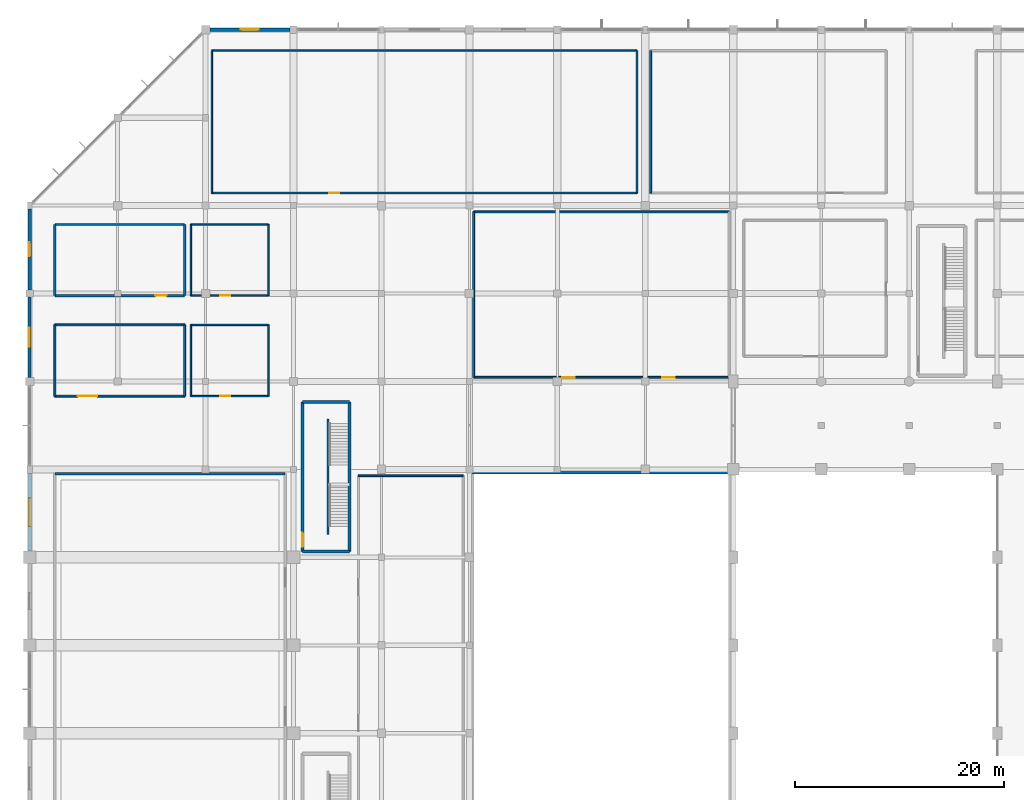
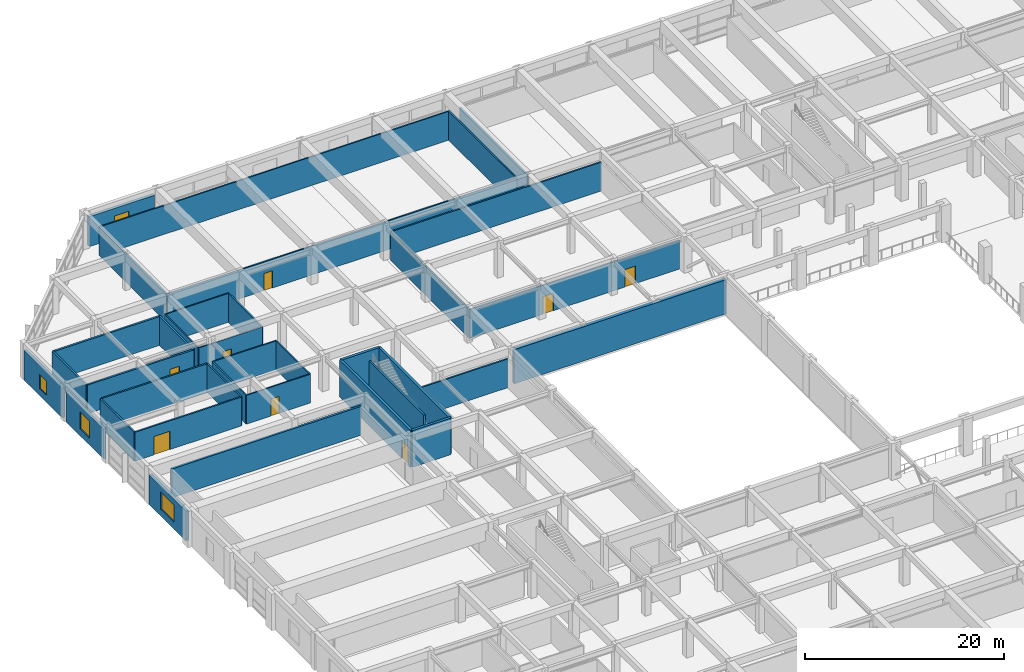
# One storey, part 53 of 65: 36 walls, 8 doors, 4 windows, 12 openings.
"""IFC4 building model written with IfcOpenShell, lengths in metres."""

from ifc_helpers import new_model, si_unit, direction, frame, frame_2d, origin, place, context, subcontext, project, spatial, rectangle, extrude, material, layer, layer_set, type_object, element, fill, save


model = new_model("IFC4")

# Units and contexts
model_context = context("Model", 3, precision=1e-05, world=origin(), true_north=direction((0.0, 1.0)))
body_context = subcontext(model_context, "Body", "Model", "MODEL_VIEW")
ifc_project = project(units=[si_unit("LENGTHUNIT", "METRE"), si_unit("AREAUNIT", "SQUARE_METRE"), si_unit("VOLUMEUNIT", "CUBIC_METRE"), si_unit("PLANEANGLEUNIT", "RADIAN"), si_unit("MASSUNIT", "GRAM", prefix="KILO")], contexts=[model_context])

# Site, building, storey
site_placement = place(None, origin())
site = spatial("IfcSite", under=ifc_project, at=site_placement, CompositionType="ELEMENT")
building_placement = place(site_placement, origin())
building = spatial("IfcBuilding", under=site, at=building_placement, Name="Xuanlan Plaza Opera House", CompositionType="ELEMENT")
storey_placement = place(building_placement, frame((0.0, 0.0, 5.39990234375)))
storey = spatial("IfcBuildingStorey", under=building, at=storey_placement, Name="L01", CompositionType="ELEMENT", Elevation=5.39990234375)

# Wall, opening, window
ifc_material_1 = material(Name="Anodised Aluminium 6063-T6 and Rockwool Cladding", Category="aluminium")
ifc_layer_1 = layer(ifc_material_1, 0.360107421875)
ifc_layer_set_1 = layer_set([ifc_layer_1], Name="Anodised Aluminium 6063-T6 and Rockwool Cladding")
wall_type_1 = type_object("IfcWallType", Name="ENV-WL-EW-01", PredefinedType="STANDARD", material=ifc_layer_set_1)
wall_1_placement = place(storey_placement, frame((24.85009765625, 117.60009765625, 0.0), z_axis=(0.0, 0.0, 1.0), x_axis=(-1.0, 0.0, 0.0)))
wall_1 = element("IfcWall", 1, at=wall_1_placement, inside=storey, type_object=wall_type_1, Name="Exterior Wall L01-046", PredefinedType="STANDARD", context=body_context, shape_type="SweptSolid", body=[
    extrude(rectangle(XDim=7.650146484375, YDim=0.360107421875, at=frame_2d((3.8251953125, 0.0))), origin(), (0.0, 0.0, 1.0), 3.68017578125),
])
opening_1_placement = place(wall_1_placement, frame((2.97509765625, 0.0, 0.85009765625)))
opening_1 = element("IfcOpeningElement", 2, at=opening_1_placement, cuts=wall_1, Name="Opening WN-13", PredefinedType="OPENING", context=body_context, shape_type="SweptSolid", body=[
    extrude(rectangle(XDim=1.699951171875, YDim=1.89990234375, at=frame_2d((0.85009765625, 0.949951171875))), frame((0.0, 0.18994140625, 0.0), z_axis=(0.0, -1.0, 0.0), x_axis=(1.0, 0.0, 0.0)), (0.0, 0.0, 1.0), 0.380126953125),
])
ifc_material_2 = material(Name="Anodised Aluminium 6063-T6 and Low-E Glass", Category="aluminium")
window_type_1 = type_object("IfcWindowType", Name="ENV-WN-WN-13", PartitioningType="DOUBLE_PANEL_VERTICAL", PredefinedType="WINDOW", material=ifc_material_2)
window_1_placement = place(opening_1_placement, origin())
window_1 = element("IfcWindow", 3, at=window_1_placement, inside=storey, type_object=window_type_1, Name="Facade Window L01-046", OverallHeight=1.89990234375, OverallWidth=1.699951171875, PartitioningType="DOUBLE_PANEL_VERTICAL", PredefinedType="WINDOW", context=body_context, shape_type="SweptSolid", body=[
    extrude(rectangle(XDim=1.699951171875, YDim=1.89990234375, at=frame_2d((0.85009765625, 0.949951171875))), frame((0.0, 0.030029296875, 0.0), z_axis=(0.0, -1.0, 0.0), x_axis=(1.0, 0.0, 0.0)), (0.0, 0.0, 1.0), 0.06005859375),
])
fill(opening_1, window_1)

wall_2_placement = place(storey_placement, frame((0.0, 75.22509765625, 0.0), z_axis=(0.0, 0.0, 1.0), x_axis=(0.0, -1.0, 0.0)))
wall_2 = element("IfcWall", 4, at=wall_2_placement, inside=storey, type_object=wall_type_1, Name="Exterior Wall L01-052", PredefinedType="STANDARD", context=body_context, shape_type="SweptSolid", body=[
    extrude(rectangle(XDim=7.425048828125, YDim=0.360107421875, at=frame_2d((3.71240234375, 0.0))), origin(), (0.0, 0.0, 1.0), 3.68017578125),
])
opening_2_placement = place(wall_2_placement, frame((2.362060546875, 0.0, 0.85009765625)))
opening_2 = element("IfcOpeningElement", 5, at=opening_2_placement, cuts=wall_2, Name="Opening WN-19", PredefinedType="OPENING", context=body_context, shape_type="SweptSolid", body=[
    extrude(rectangle(XDim=2.699951171875, YDim=2.10009765625, at=frame_2d((1.35009765625, 1.050048828125))), frame((0.0, 0.18994140625, 0.0), z_axis=(0.0, -1.0, 0.0), x_axis=(1.0, 0.0, 0.0)), (0.0, 0.0, 1.0), 0.380126953125),
])
window_type_2 = type_object("IfcWindowType", Name="ENV-WN-WN-19", PartitioningType="TRIPLE_PANEL_VERTICAL", PredefinedType="WINDOW", material=ifc_material_2)
window_2_placement = place(opening_2_placement, origin())
window_2 = element("IfcWindow", 6, at=window_2_placement, inside=storey, type_object=window_type_2, Name="Facade Window L01-052", OverallHeight=2.10009765625, OverallWidth=2.699951171875, PartitioningType="TRIPLE_PANEL_VERTICAL", PredefinedType="WINDOW", context=body_context, shape_type="SweptSolid", body=[
    extrude(rectangle(XDim=2.699951171875, YDim=2.10009765625, at=frame_2d((1.35009765625, 1.050048828125))), frame((0.0, 0.030029296875, 0.0), z_axis=(0.0, -1.0, 0.0), x_axis=(1.0, 0.0, 0.0)), (0.0, 0.0, 1.0), 0.06005859375),
])
fill(opening_2, window_2)

ifc_layer_2 = layer(ifc_material_1, 0.31005859375)
ifc_layer_set_2 = layer_set([ifc_layer_2], Name="Anodised Aluminium 6063-T6 and Rockwool Cladding")
wall_type_2 = type_object("IfcWallType", Name="ENV-WL-EW-04", PredefinedType="STANDARD", material=ifc_layer_set_2)
wall_3_placement = place(storey_placement, frame((0.0, 100.47509765625, 0.0), z_axis=(0.0, 0.0, 1.0), x_axis=(0.0, -1.0, 0.0)))
wall_3 = element("IfcWall", 7, at=wall_3_placement, inside=storey, type_object=wall_type_2, Name="Exterior Wall L01-049", PredefinedType="STANDARD", context=body_context, shape_type="SweptSolid", body=[
    extrude(rectangle(XDim=7.72509765625, YDim=0.31005859375, at=frame_2d((3.862548828125, 0.0))), origin(), (0.0, 0.0, 1.0), 3.68017578125),
])
opening_3_placement = place(wall_3_placement, frame((3.18701171875, 0.0, 0.85009765625)))
opening_3 = element("IfcOpeningElement", 8, at=opening_3_placement, cuts=wall_3, Name="Opening WN-16", PredefinedType="OPENING", context=body_context, shape_type="SweptSolid", body=[
    extrude(rectangle(XDim=1.35009765625, YDim=1.75, at=frame_2d((0.675048828125, 0.875))), frame((0.0, 0.1650390625, 0.0), z_axis=(0.0, -1.0, 0.0), x_axis=(1.0, 0.0, 0.0)), (0.0, 0.0, 1.0), 0.330078125),
])
window_type_3 = type_object("IfcWindowType", Name="ENV-WN-WN-16", PartitioningType="SINGLE_PANEL", PredefinedType="WINDOW", material=ifc_material_2)
window_3_placement = place(opening_3_placement, origin())
window_3 = element("IfcWindow", 9, at=window_3_placement, inside=storey, type_object=window_type_3, Name="Facade Window L01-049", OverallHeight=1.75, OverallWidth=1.35009765625, PartitioningType="SINGLE_PANEL", PredefinedType="WINDOW", context=body_context, shape_type="SweptSolid", body=[
    extrude(rectangle(XDim=1.35009765625, YDim=1.75, at=frame_2d((0.675048828125, 0.875))), frame((0.0, 0.030029296875, 0.0), z_axis=(0.0, -1.0, 0.0), x_axis=(1.0, 0.0, 0.0)), (0.0, 0.0, 1.0), 0.06005859375),
])
fill(opening_3, window_3)

ifc_layer_3 = layer(ifc_material_1, 0.2900390625)
ifc_layer_set_3 = layer_set([ifc_layer_3], Name="Anodised Aluminium 6063-T6 and Rockwool Cladding")
wall_type_3 = type_object("IfcWallType", Name="ENV-WL-EW-05", PredefinedType="STANDARD", material=ifc_layer_set_3)
wall_4_placement = place(storey_placement, frame((0.0, 92.050048828125, 0.0), z_axis=(0.0, 0.0, 1.0), x_axis=(0.0, -1.0, 0.0)))
wall_4 = element("IfcWall", 10, at=wall_4_placement, inside=storey, type_object=wall_type_3, Name="Exterior Wall L01-050", PredefinedType="STANDARD", context=body_context, shape_type="SweptSolid", body=[
    extrude(rectangle(XDim=7.650146484375, YDim=0.2900390625, at=frame_2d((3.8251953125, 0.0))), origin(), (0.0, 0.0, 1.0), 3.68017578125),
])
opening_4_placement = place(wall_4_placement, frame((2.89990234375, 0.0, 0.85009765625)))
opening_4 = element("IfcOpeningElement", 11, at=opening_4_placement, cuts=wall_4, Name="Opening WN-17", PredefinedType="OPENING", context=body_context, shape_type="SweptSolid", body=[
    extrude(rectangle(XDim=1.85009765625, YDim=2.050048828125, at=frame_2d((0.925048828125, 1.02490234375))), frame((0.0, 0.155029296875, 0.0), z_axis=(0.0, -1.0, 0.0), x_axis=(1.0, 0.0, 0.0)), (0.0, 0.0, 1.0), 0.31005859375),
])
window_type_4 = type_object("IfcWindowType", Name="ENV-WN-WN-17", PartitioningType="DOUBLE_PANEL_VERTICAL", PredefinedType="WINDOW", material=ifc_material_2)
window_4_placement = place(opening_4_placement, origin())
window_4 = element("IfcWindow", 12, at=window_4_placement, inside=storey, type_object=window_type_4, Name="Facade Window L01-050", OverallHeight=2.050048828125, OverallWidth=1.85009765625, PartitioningType="DOUBLE_PANEL_VERTICAL", PredefinedType="WINDOW", context=body_context, shape_type="SweptSolid", body=[
    extrude(rectangle(XDim=1.85009765625, YDim=2.050048828125, at=frame_2d((0.925048828125, 1.02490234375))), frame((0.0, 0.030029296875, 0.0), z_axis=(0.0, -1.0, 0.0), x_axis=(1.0, 0.0, 0.0)), (0.0, 0.0, 1.0), 0.06005859375),
])
fill(opening_4, window_4)

# Wall
ifc_material_3 = material(Name="Gypsum Board and Galvanised Steel Studs", Category="gypsum")
ifc_layer_4 = layer(ifc_material_3, 0.239990234375)
ifc_layer_set_4 = layer_set([ifc_layer_4], Name="Gypsum Board and Galvanised Steel Studs")
wall_type_4 = type_object("IfcWallType", Name="INT-WL-PW-01", PredefinedType="PARTITIONING", material=ifc_layer_set_4)
wall_5_placement = place(storey_placement, frame((2.39990234375, 75.199951171875, 0.0), z_axis=(0.0, 0.0, 1.0), x_axis=(1.0, 0.0, 0.0)))
element("IfcWall", 13, at=wall_5_placement, inside=storey, type_object=wall_type_4, Name="Orchestra Rehearsal Stage Wall North", PredefinedType="PARTITIONING", context=body_context, shape_type="SweptSolid", body=[
    extrude(rectangle(XDim=22.0, YDim=0.239990234375, at=frame_2d((11.0, 0.0))), origin(), (0.0, 0.0, 1.0), 3.5400390625),
])

# Wall, opening, door
ifc_layer_5 = layer(ifc_material_3, 0.179931640625)
ifc_layer_set_5 = layer_set([ifc_layer_5], Name="Gypsum Board and Galvanised Steel Studs")
wall_type_5 = type_object("IfcWallType", Name="INT-WL-PW-02", PredefinedType="PARTITIONING", material=ifc_layer_set_5)
wall_6_placement = place(storey_placement, frame((2.39990234375, 82.60009765625, 0.0), z_axis=(0.0, 0.0, 1.0), x_axis=(1.0, 0.0, 0.0)))
wall_6 = element("IfcWall", 14, at=wall_6_placement, inside=storey, type_object=wall_type_5, Name="Principal Dressing Room 3 Wall South", PredefinedType="PARTITIONING", context=body_context, shape_type="SweptSolid", body=[
    extrude(rectangle(XDim=12.400146484375, YDim=0.179931640625, at=frame_2d((6.2001953125, 0.0))), origin(), (0.0, 0.0, 1.0), 3.5400390625),
])
opening_5_placement = place(wall_6_placement, frame((2.199951171875, 0.0, 0.0)))
opening_5 = element("IfcOpeningElement", 15, at=opening_5_placement, cuts=wall_6, Name="Opening D-15", PredefinedType="OPENING", context=body_context, shape_type="SweptSolid", body=[
    extrude(rectangle(XDim=1.860107421875, YDim=2.260009765625, at=frame_2d((0.93017578125, 1.1298828125))), frame((0.0, 0.099853515625, 0.0), z_axis=(0.0, -1.0, 0.0), x_axis=(1.0, 0.0, 0.0)), (0.0, 0.0, 1.0), 0.199951171875),
])
ifc_material_4 = material(Name="Walnut Hardwood Timber", Category="wood")
door_type_1 = type_object("IfcDoorType", Name="INT-DR-D-15", OperationType="DOUBLE_DOOR_SINGLE_SWING", PredefinedType="DOOR", material=ifc_material_4)
door_1_placement = place(opening_5_placement, origin())
door_1 = element("IfcDoor", 16, at=door_1_placement, inside=storey, type_object=door_type_1, Name="Principal Dressing Room 3 Door 1", OperationType="DOUBLE_DOOR_SINGLE_SWING", OverallHeight=2.260009765625, OverallWidth=1.860107421875, PredefinedType="DOOR", context=body_context, shape_type="SweptSolid", body=[
    extrude(rectangle(XDim=1.860107421875, YDim=2.260009765625, at=frame_2d((0.93017578125, 1.1298828125))), frame((0.0, 0.02490234375, 0.0), z_axis=(0.0, -1.0, 0.0), x_axis=(1.0, 0.0, 0.0)), (0.0, 0.0, 1.0), 0.050048828125),
])
fill(opening_5, door_1)

# Walls
wall_7_placement = place(storey_placement, frame((2.39990234375, 89.39990234375, 0.0), z_axis=(0.0, 0.0, 1.0), x_axis=(1.0, 0.0, 0.0)))
element("IfcWall", 17, at=wall_7_placement, inside=storey, type_object=wall_type_5, Name="Principal Dressing Room 3 Wall North", PredefinedType="PARTITIONING", context=body_context, shape_type="SweptSolid", body=[
    extrude(rectangle(XDim=12.400146484375, YDim=0.179931640625, at=frame_2d((6.2001953125, 0.0))), origin(), (0.0, 0.0, 1.0), 3.5400390625),
])
for number, where, z_axis, x_axis, name in (
    (18, (2.39990234375, 82.60009765625, 0.0), (0.0, 0.0, 1.0), (0.0, 1.0, 0.0), "Principal Dressing Room 3 Wall West"),
    (19, (14.800048828125, 82.60009765625, 0.0), (0.0, 0.0, 1.0), (0.0, 1.0, 0.0), "Principal Dressing Room 3 Wall East"),
):
    element("IfcWall", number, at=place(storey_placement, frame(where, z_axis=z_axis, x_axis=x_axis)), inside=storey, type_object=wall_type_5, Name=name, PredefinedType="PARTITIONING", context=body_context, shape_type="SweptSolid", body=[
        extrude(rectangle(XDim=6.7998046875, YDim=0.179931640625, at=frame_2d((3.39990234375, 0.0))), origin(), (0.0, 0.0, 1.0), 3.5400390625),
    ])

# Wall, openings, doors
wall_8_placement = place(storey_placement, frame((42.39990234375, 84.39990234375, 0.0), z_axis=(0.0, 0.0, 1.0), x_axis=(1.0, 0.0, 0.0)))
wall_8 = element("IfcWall", 20, at=wall_8_placement, inside=storey, type_object=wall_type_5, Name="Chorus Dressing Room North Wall South", PredefinedType="PARTITIONING", context=body_context, shape_type="SweptSolid", body=[
    extrude(rectangle(XDim=24.400146484375, YDim=0.179931640625, at=frame_2d((12.2001953125, 0.0))), origin(), (0.0, 0.0, 1.0), 3.5400390625),
])
opening_6_placement = place(wall_8_placement, frame((8.449951171875, 0.0, 0.0)))
opening_6 = element("IfcOpeningElement", 21, at=opening_6_placement, cuts=wall_8, Name="Opening D-05", PredefinedType="OPENING", context=body_context, shape_type="SweptSolid", body=[
    extrude(rectangle(XDim=1.219970703125, YDim=2.14990234375, at=frame_2d((0.60986328125, 1.074951171875))), frame((0.0, 0.099853515625, 0.0), z_axis=(0.0, -1.0, 0.0), x_axis=(1.0, 0.0, 0.0)), (0.0, 0.0, 1.0), 0.199951171875),
])
opening_7_placement = place(wall_8_placement, frame((18.0, 0.0, 0.0)))
opening_7 = element("IfcOpeningElement", 22, at=opening_7_placement, cuts=wall_8, Name="Opening D-05", PredefinedType="OPENING", context=body_context, shape_type="SweptSolid", body=[
    extrude(rectangle(XDim=1.219970703125, YDim=2.14990234375, at=frame_2d((0.60986328125, 1.074951171875))), frame((0.0, 0.099853515625, 0.0), z_axis=(0.0, -1.0, 0.0), x_axis=(1.0, 0.0, 0.0)), (0.0, 0.0, 1.0), 0.199951171875),
])
door_type_2 = type_object("IfcDoorType", Name="INT-DR-D-05", OperationType="NOTDEFINED", PredefinedType="DOOR", material=ifc_material_4)
door_2_placement = place(opening_6_placement, origin())
door_2 = element("IfcDoor", 23, at=door_2_placement, inside=storey, type_object=door_type_2, Name="Chorus Dressing Room North Door 1", OperationType="SINGLE_SWING_LEFT", OverallHeight=2.14990234375, OverallWidth=1.219970703125, PredefinedType="DOOR", context=body_context, shape_type="SweptSolid", body=[
    extrude(rectangle(XDim=1.219970703125, YDim=2.14990234375, at=frame_2d((0.60986328125, 1.074951171875))), frame((0.0, 0.02490234375, 0.0), z_axis=(0.0, -1.0, 0.0), x_axis=(1.0, 0.0, 0.0)), (0.0, 0.0, 1.0), 0.050048828125),
])
fill(opening_6, door_2)
door_3_placement = place(opening_7_placement, origin())
door_3 = element("IfcDoor", 24, at=door_3_placement, inside=storey, type_object=door_type_2, Name="Chorus Dressing Room North Door 2", OperationType="SINGLE_SWING_RIGHT", OverallHeight=2.14990234375, OverallWidth=1.219970703125, PredefinedType="DOOR", context=body_context, shape_type="SweptSolid", body=[
    extrude(rectangle(XDim=1.219970703125, YDim=2.14990234375, at=frame_2d((0.60986328125, 1.074951171875))), frame((0.0, 0.02490234375, 0.0), z_axis=(0.0, -1.0, 0.0), x_axis=(1.0, 0.0, 0.0)), (0.0, 0.0, 1.0), 0.050048828125),
])
fill(opening_7, door_3)

# Walls
wall_9_placement = place(storey_placement, frame((42.39990234375, 100.199951171875, 0.0), z_axis=(0.0, 0.0, 1.0), x_axis=(1.0, 0.0, 0.0)))
element("IfcWall", 25, at=wall_9_placement, inside=storey, type_object=wall_type_5, Name="Chorus Dressing Room North Wall North", PredefinedType="PARTITIONING", context=body_context, shape_type="SweptSolid", body=[
    extrude(rectangle(XDim=24.400146484375, YDim=0.179931640625, at=frame_2d((12.2001953125, 0.0))), origin(), (0.0, 0.0, 1.0), 3.5400390625),
])
wall_10_placement = place(storey_placement, frame((42.39990234375, 84.39990234375, 0.0), z_axis=(0.0, 0.0, 1.0), x_axis=(0.0, 1.0, 0.0)))
element("IfcWall", 26, at=wall_10_placement, inside=storey, type_object=wall_type_5, Name="Chorus Dressing Room North Wall West", PredefinedType="PARTITIONING", context=body_context, shape_type="SweptSolid", body=[
    extrude(rectangle(XDim=15.800048828125, YDim=0.179931640625, at=frame_2d((7.89990234375, 0.0))), origin(), (0.0, 0.0, 1.0), 3.5400390625),
])
wall_11_placement = place(storey_placement, frame((59.300048828125, 102.0, 0.0), z_axis=(0.0, 0.0, 1.0), x_axis=(0.0, 1.0, 0.0)))
element("IfcWall", 27, at=wall_11_placement, inside=storey, type_object=wall_type_5, Name="Historical Opera Wardrobe Archive Wall West", PredefinedType="PARTITIONING", context=body_context, shape_type="SweptSolid", body=[
    extrude(rectangle(XDim=13.60009765625, YDim=0.179931640625, at=frame_2d((6.800048828125, 0.0))), origin(), (0.0, 0.0, 1.0), 3.5400390625),
])
wall_12_placement = place(storey_placement, frame((31.39990234375, 75.0, 0.0), z_axis=(0.0, 0.0, 1.0), x_axis=(1.0, 0.0, 0.0)))
element("IfcWall", 28, at=wall_12_placement, inside=storey, type_object=wall_type_5, Name="Stage Properties Workshop Wall North", PredefinedType="PARTITIONING", context=body_context, shape_type="SweptSolid", body=[
    extrude(rectangle(XDim=10.0, YDim=0.179931640625, at=frame_2d((5.0, 0.0))), origin(), (0.0, 0.0, 1.0), 3.5400390625),
])

# Wall, opening, door
ifc_material_5 = material(Name="Autoclaved Aerated Blockwork Masonry", Category="masonry")
ifc_layer_6 = layer(ifc_material_5, 0.14990234375)
ifc_layer_set_6 = layer_set([ifc_layer_6], Name="Autoclaved Aerated Blockwork Masonry")
wall_type_6 = type_object("IfcWallType", Name="INT-WL-PW-03", PredefinedType="PARTITIONING", material=ifc_layer_set_6)
wall_13_placement = place(storey_placement, frame((15.39990234375, 82.60009765625, 0.0), z_axis=(0.0, 0.0, 1.0), x_axis=(1.0, 0.0, 0.0)))
wall_13 = element("IfcWall", 29, at=wall_13_placement, inside=storey, type_object=wall_type_6, Name="Dressing Room Shower and WC 3 Wall South", PredefinedType="PARTITIONING", context=body_context, shape_type="SweptSolid", body=[
    extrude(rectangle(XDim=7.400146484375, YDim=0.14990234375, at=frame_2d((3.7001953125, 0.0))), origin(), (0.0, 0.0, 1.0), 3.5400390625),
])
opening_8_placement = place(wall_13_placement, frame((2.800048828125, 0.0, 0.0)))
opening_8 = element("IfcOpeningElement", 30, at=opening_8_placement, cuts=wall_13, Name="Opening D-01", PredefinedType="OPENING", context=body_context, shape_type="SweptSolid", body=[
    extrude(rectangle(XDim=0.949951171875, YDim=2.10009765625, at=frame_2d((0.47509765625, 1.050048828125))), frame((0.0, 0.0849609375, 0.0), z_axis=(0.0, -1.0, 0.0), x_axis=(1.0, 0.0, 0.0)), (0.0, 0.0, 1.0), 0.169921875),
])
door_type_3 = type_object("IfcDoorType", Name="INT-DR-D-01", OperationType="NOTDEFINED", PredefinedType="DOOR", material=ifc_material_4)
door_4_placement = place(opening_8_placement, origin())
door_4 = element("IfcDoor", 31, at=door_4_placement, inside=storey, type_object=door_type_3, Name="Dressing Room Shower and WC 3 Door 1", OperationType="SINGLE_SWING_LEFT", OverallHeight=2.10009765625, OverallWidth=0.949951171875, PredefinedType="DOOR", context=body_context, shape_type="SweptSolid", body=[
    extrude(rectangle(XDim=0.949951171875, YDim=2.10009765625, at=frame_2d((0.47509765625, 1.050048828125))), frame((0.0, 0.02490234375, 0.0), z_axis=(0.0, -1.0, 0.0), x_axis=(1.0, 0.0, 0.0)), (0.0, 0.0, 1.0), 0.050048828125),
])
fill(opening_8, door_4)

# Walls
wall_14_placement = place(storey_placement, frame((15.39990234375, 89.39990234375, 0.0), z_axis=(0.0, 0.0, 1.0), x_axis=(1.0, 0.0, 0.0)))
element("IfcWall", 32, at=wall_14_placement, inside=storey, type_object=wall_type_6, Name="Dressing Room Shower and WC 3 Wall North", PredefinedType="PARTITIONING", context=body_context, shape_type="SweptSolid", body=[
    extrude(rectangle(XDim=7.400146484375, YDim=0.14990234375, at=frame_2d((3.7001953125, 0.0))), origin(), (0.0, 0.0, 1.0), 3.5400390625),
])
for number, where, z_axis, x_axis, name in (
    (33, (15.39990234375, 82.60009765625, 0.0), (0.0, 0.0, 1.0), (0.0, 1.0, 0.0), "Dressing Room Shower and WC 3 Wall West"),
    (34, (22.800048828125, 82.60009765625, 0.0), (0.0, 0.0, 1.0), (0.0, 1.0, 0.0), "Dressing Room Shower and WC 3 Wall East"),
):
    element("IfcWall", number, at=place(storey_placement, frame(where, z_axis=z_axis, x_axis=x_axis)), inside=storey, type_object=wall_type_6, Name=name, PredefinedType="PARTITIONING", context=body_context, shape_type="SweptSolid", body=[
        extrude(rectangle(XDim=6.7998046875, YDim=0.14990234375, at=frame_2d((3.39990234375, 0.0))), origin(), (0.0, 0.0, 1.0), 3.5400390625),
    ])

# Wall, opening, door
wall_15_placement = place(storey_placement, frame((15.39990234375, 92.199951171875, 0.0), z_axis=(0.0, 0.0, 1.0), x_axis=(1.0, 0.0, 0.0)))
wall_15 = element("IfcWall", 35, at=wall_15_placement, inside=storey, type_object=wall_type_6, Name="Dressing Room Shower and WC 4 Wall South", PredefinedType="PARTITIONING", context=body_context, shape_type="SweptSolid", body=[
    extrude(rectangle(XDim=7.400146484375, YDim=0.14990234375, at=frame_2d((3.7001953125, 0.0))), origin(), (0.0, 0.0, 1.0), 3.5400390625),
])
opening_9_placement = place(wall_15_placement, frame((2.800048828125, 0.0, 0.0)))
opening_9 = element("IfcOpeningElement", 36, at=opening_9_placement, cuts=wall_15, Name="Opening D-01", PredefinedType="OPENING", context=body_context, shape_type="SweptSolid", body=[
    extrude(rectangle(XDim=0.949951171875, YDim=2.10009765625, at=frame_2d((0.47509765625, 1.050048828125))), frame((0.0, 0.0849609375, 0.0), z_axis=(0.0, -1.0, 0.0), x_axis=(1.0, 0.0, 0.0)), (0.0, 0.0, 1.0), 0.169921875),
])
door_5_placement = place(opening_9_placement, origin())
door_5 = element("IfcDoor", 37, at=door_5_placement, inside=storey, type_object=door_type_3, Name="Dressing Room Shower and WC 4 Door 1", OperationType="SINGLE_SWING_LEFT", OverallHeight=2.10009765625, OverallWidth=0.949951171875, PredefinedType="DOOR", context=body_context, shape_type="SweptSolid", body=[
    extrude(rectangle(XDim=0.949951171875, YDim=2.10009765625, at=frame_2d((0.47509765625, 1.050048828125))), frame((0.0, 0.02490234375, 0.0), z_axis=(0.0, -1.0, 0.0), x_axis=(1.0, 0.0, 0.0)), (0.0, 0.0, 1.0), 0.050048828125),
])
fill(opening_9, door_5)

# Walls
wall_16_placement = place(storey_placement, frame((15.39990234375, 99.0, 0.0), z_axis=(0.0, 0.0, 1.0), x_axis=(1.0, 0.0, 0.0)))
element("IfcWall", 38, at=wall_16_placement, inside=storey, type_object=wall_type_6, Name="Dressing Room Shower and WC 4 Wall North", PredefinedType="PARTITIONING", context=body_context, shape_type="SweptSolid", body=[
    extrude(rectangle(XDim=7.400146484375, YDim=0.14990234375, at=frame_2d((3.7001953125, 0.0))), origin(), (0.0, 0.0, 1.0), 3.5400390625),
])
for number, where, z_axis, x_axis, name in (
    (39, (15.39990234375, 92.199951171875, 0.0), (0.0, 0.0, 1.0), (0.0, 1.0, 0.0), "Dressing Room Shower and WC 4 Wall West"),
    (40, (22.800048828125, 92.199951171875, 0.0), (0.0, 0.0, 1.0), (0.0, 1.0, 0.0), "Dressing Room Shower and WC 4 Wall East"),
):
    element("IfcWall", number, at=place(storey_placement, frame(where, z_axis=z_axis, x_axis=x_axis)), inside=storey, type_object=wall_type_6, Name=name, PredefinedType="PARTITIONING", context=body_context, shape_type="SweptSolid", body=[
        extrude(rectangle(XDim=6.800048828125, YDim=0.14990234375, at=frame_2d((3.39990234375, 0.0))), origin(), (0.0, 0.0, 1.0), 3.5400390625),
    ])

# Wall, opening, door
ifc_layer_7 = layer(ifc_material_3, 0.159912109375)
ifc_layer_set_7 = layer_set([ifc_layer_7], Name="Gypsum Board and Galvanised Steel Studs")
wall_type_7 = type_object("IfcWallType", Name="INT-WL-PW-05", PredefinedType="PARTITIONING", material=ifc_layer_set_7)
wall_17_placement = place(storey_placement, frame((17.39990234375, 102.0, 0.0), z_axis=(0.0, 0.0, 1.0), x_axis=(1.0, 0.0, 0.0)))
wall_17 = element("IfcWall", 41, at=wall_17_placement, inside=storey, type_object=wall_type_7, Name="Scenic Paint and Carpentry Workshop Wall South", PredefinedType="PARTITIONING", context=body_context, shape_type="SweptSolid", body=[
    extrude(rectangle(XDim=40.60009765625, YDim=0.159912109375, at=frame_2d((20.300048828125, 0.0))), origin(), (0.0, 0.0, 1.0), 3.5400390625),
])
opening_10_placement = place(wall_17_placement, frame((11.199951171875, 0.0, 0.0)))
opening_10 = element("IfcOpeningElement", 42, at=opening_10_placement, cuts=wall_17, Name="Opening D-09", PredefinedType="OPENING", context=body_context, shape_type="SweptSolid", body=[
    extrude(rectangle(XDim=0.97998046875, YDim=2.1201171875, at=frame_2d((0.489990234375, 1.06005859375))), frame((0.0, 0.08984375, 0.0), z_axis=(0.0, -1.0, 0.0), x_axis=(1.0, 0.0, 0.0)), (0.0, 0.0, 1.0), 0.179931640625),
])
door_type_4 = type_object("IfcDoorType", Name="INT-DR-D-09", OperationType="NOTDEFINED", PredefinedType="DOOR", material=ifc_material_4)
door_6_placement = place(opening_10_placement, origin())
door_6 = element("IfcDoor", 43, at=door_6_placement, inside=storey, type_object=door_type_4, Name="Scenic Paint and Carpentry Workshop Door 1", OperationType="SINGLE_SWING_LEFT", OverallHeight=2.1201171875, OverallWidth=0.97998046875, PredefinedType="DOOR", context=body_context, shape_type="SweptSolid", body=[
    extrude(rectangle(XDim=0.97998046875, YDim=2.1201171875, at=frame_2d((0.489990234375, 1.06005859375))), frame((0.0, 0.02490234375, 0.0), z_axis=(0.0, -1.0, 0.0), x_axis=(1.0, 0.0, 0.0)), (0.0, 0.0, 1.0), 0.050048828125),
])
fill(opening_10, door_6)

# Walls
wall_18_placement = place(storey_placement, frame((17.39990234375, 115.60009765625, 0.0), z_axis=(0.0, 0.0, 1.0), x_axis=(1.0, 0.0, 0.0)))
element("IfcWall", 44, at=wall_18_placement, inside=storey, type_object=wall_type_7, Name="Scenic Paint and Carpentry Workshop Wall North", PredefinedType="PARTITIONING", context=body_context, shape_type="SweptSolid", body=[
    extrude(rectangle(XDim=40.60009765625, YDim=0.159912109375, at=frame_2d((20.300048828125, 0.0))), origin(), (0.0, 0.0, 1.0), 3.5400390625),
])
for number, where, z_axis, x_axis, name in (
    (45, (17.39990234375, 102.0, 0.0), (0.0, 0.0, 1.0), (0.0, 1.0, 0.0), "Scenic Paint and Carpentry Workshop Wall West"),
    (46, (58.0, 102.0, 0.0), (0.0, 0.0, 1.0), (0.0, 1.0, 0.0), "Scenic Paint and Carpentry Workshop Wall East"),
):
    element("IfcWall", number, at=place(storey_placement, frame(where, z_axis=z_axis, x_axis=x_axis)), inside=storey, type_object=wall_type_7, Name=name, PredefinedType="PARTITIONING", context=body_context, shape_type="SweptSolid", body=[
        extrude(rectangle(XDim=13.60009765625, YDim=0.159912109375, at=frame_2d((6.800048828125, 0.0))), origin(), (0.0, 0.0, 1.0), 3.5400390625),
    ])

# Wall, opening, door
ifc_layer_8 = layer(ifc_material_5, 0.219970703125)
ifc_layer_set_8 = layer_set([ifc_layer_8], Name="Autoclaved Aerated Blockwork Masonry")
wall_type_8 = type_object("IfcWallType", Name="INT-WL-PW-06", PredefinedType="PARTITIONING", material=ifc_layer_set_8)
wall_19_placement = place(storey_placement, frame((2.39990234375, 92.199951171875, 0.0), z_axis=(0.0, 0.0, 1.0), x_axis=(1.0, 0.0, 0.0)))
wall_19 = element("IfcWall", 47, at=wall_19_placement, inside=storey, type_object=wall_type_8, Name="Principal Dressing Room 4 Wall South", PredefinedType="PARTITIONING", context=body_context, shape_type="SweptSolid", body=[
    extrude(rectangle(XDim=12.400146484375, YDim=0.219970703125, at=frame_2d((6.2001953125, 0.0))), origin(), (0.0, 0.0, 1.0), 3.5400390625),
])
opening_11_placement = place(wall_19_placement, frame((9.60009765625, 0.0, 0.0)))
opening_11 = element("IfcOpeningElement", 48, at=opening_11_placement, cuts=wall_19, Name="Opening D-06", PredefinedType="OPENING", context=body_context, shape_type="SweptSolid", body=[
    extrude(rectangle(XDim=1.080078125, YDim=2.1201171875, at=frame_2d((0.5400390625, 1.06005859375))), frame((0.0, 0.119873046875, 0.0), z_axis=(0.0, -1.0, 0.0), x_axis=(1.0, 0.0, 0.0)), (0.0, 0.0, 1.0), 0.239990234375),
])
ifc_material_6 = material(Name="Oak Hardwood Timber", Category="wood")
door_type_5 = type_object("IfcDoorType", Name="INT-DR-D-06", OperationType="NOTDEFINED", PredefinedType="DOOR", material=ifc_material_6)
door_7_placement = place(opening_11_placement, origin())
door_7 = element("IfcDoor", 49, at=door_7_placement, inside=storey, type_object=door_type_5, Name="Principal Dressing Room 4 Door 1", OperationType="SINGLE_SWING_RIGHT", OverallHeight=2.1201171875, OverallWidth=1.080078125, PredefinedType="DOOR", context=body_context, shape_type="SweptSolid", body=[
    extrude(rectangle(XDim=1.080078125, YDim=2.1201171875, at=frame_2d((0.5400390625, 1.06005859375))), frame((0.0, 0.02490234375, 0.0), z_axis=(0.0, -1.0, 0.0), x_axis=(1.0, 0.0, 0.0)), (0.0, 0.0, 1.0), 0.050048828125),
])
fill(opening_11, door_7)

# Walls
wall_20_placement = place(storey_placement, frame((2.39990234375, 99.0, 0.0), z_axis=(0.0, 0.0, 1.0), x_axis=(1.0, 0.0, 0.0)))
element("IfcWall", 50, at=wall_20_placement, inside=storey, type_object=wall_type_8, Name="Principal Dressing Room 4 Wall North", PredefinedType="PARTITIONING", context=body_context, shape_type="SweptSolid", body=[
    extrude(rectangle(XDim=12.400146484375, YDim=0.219970703125, at=frame_2d((6.2001953125, 0.0))), origin(), (0.0, 0.0, 1.0), 3.5400390625),
])
for number, where, z_axis, x_axis, name in (
    (51, (2.39990234375, 92.199951171875, 0.0), (0.0, 0.0, 1.0), (0.0, 1.0, 0.0), "Principal Dressing Room 4 Wall West"),
    (52, (14.800048828125, 92.199951171875, 0.0), (0.0, 0.0, 1.0), (0.0, 1.0, 0.0), "Principal Dressing Room 4 Wall East"),
):
    element("IfcWall", number, at=place(storey_placement, frame(where, z_axis=z_axis, x_axis=x_axis)), inside=storey, type_object=wall_type_8, Name=name, PredefinedType="PARTITIONING", context=body_context, shape_type="SweptSolid", body=[
        extrude(rectangle(XDim=6.800048828125, YDim=0.219970703125, at=frame_2d((3.39990234375, 0.0))), origin(), (0.0, 0.0, 1.0), 3.5400390625),
    ])
ifc_material_7 = material(Name="Concrete C50", Category="concrete")
ifc_layer_9 = layer(ifc_material_7, 0.3798828125)
ifc_layer_set_9 = layer_set([ifc_layer_9], Name="Concrete C50")
wall_type_9 = type_object("IfcWallType", Name="INT-WL-SW-FW1", PredefinedType="SHEAR", material=ifc_layer_set_9)
wall_21_placement = place(storey_placement, frame((42.25, 75.35009765625, 0.0), z_axis=(0.0, 0.0, 1.0), x_axis=(1.0, 0.0, 0.0)))
element("IfcWall", 53, at=wall_21_placement, inside=storey, type_object=wall_type_9, Name="Proscenium and Fly Shaft Wall L01-N", PredefinedType="SHEAR", context=body_context, shape_type="SweptSolid", body=[
    extrude(rectangle(XDim=24.699951171875, YDim=0.3798828125, at=frame_2d((12.35009765625, 0.0))), origin(), (0.0, 0.0, 1.0), 4.2001953125),
])
ifc_material_8 = material(Name="Concrete C40", Category="concrete")
ifc_layer_10 = layer(ifc_material_8, 0.199951171875)
ifc_layer_set_10 = layer_set([ifc_layer_10], Name="Concrete C40")
wall_type_10 = type_object("IfcWallType", Name="INT-WL-SW-SPN", PredefinedType="SHEAR", material=ifc_layer_set_10)
wall_22_placement = place(storey_placement, frame((28.5, 69.39990234375, 0.0), z_axis=(0.0, 0.0, 1.0), x_axis=(0.0, 1.0, 0.0)))
element("IfcWall", 54, at=wall_22_placement, inside=storey, type_object=wall_type_10, Name="Stair Structural Spine Wall ST-P2 L01", PredefinedType="SHEAR", context=body_context, shape_type="SweptSolid", body=[
    extrude(rectangle(XDim=11.0, YDim=0.199951171875, at=frame_2d((5.5, 0.0))), origin(), (0.0, 0.0, 1.0), 4.5),
])
ifc_layer_11 = layer(ifc_material_8, 0.300048828125)
ifc_layer_set_11 = layer_set([ifc_layer_11], Name="Concrete C40")
wall_type_11 = type_object("IfcWallType", Name="INT-WL-SW-ST1", PredefinedType="SHEAR", material=ifc_layer_set_11)
for number, where, z_axis, x_axis, name in (
    (55, (26.050048828125, 67.75, 0.0), (0.0, 0.0, 1.0), (1.0, 0.0, 0.0), "Stair Core Wall ST-P2 L01 South"),
    (56, (26.050048828125, 82.050048828125, 0.0), (0.0, 0.0, 1.0), (1.0, 0.0, 0.0), "Stair Core Wall ST-P2 L01 North"),
):
    element("IfcWall", number, at=place(storey_placement, frame(where, z_axis=z_axis, x_axis=x_axis)), inside=storey, type_object=wall_type_11, Name=name, PredefinedType="SHEAR", context=body_context, shape_type="SweptSolid", body=[
        extrude(rectangle(XDim=4.5, YDim=0.300048828125, at=frame_2d((2.25, 0.0))), origin(), (0.0, 0.0, 1.0), 4.5),
    ])

# Wall, opening, door
wall_23_placement = place(storey_placement, frame((26.050048828125, 67.75, 0.0), z_axis=(0.0, 0.0, 1.0), x_axis=(0.0, 1.0, 0.0)))
wall_23 = element("IfcWall", 57, at=wall_23_placement, inside=storey, type_object=wall_type_11, Name="Stair Core Wall ST-P2 L01 West", PredefinedType="SHEAR", context=body_context, shape_type="SweptSolid", body=[
    extrude(rectangle(XDim=14.300048828125, YDim=0.300048828125, at=frame_2d((7.14990234375, 0.0))), origin(), (0.0, 0.0, 1.0), 4.5),
])
opening_12_placement = place(wall_23_placement, frame((0.449951171875, 0.0, 0.0)))
opening_12 = element("IfcOpeningElement", 58, at=opening_12_placement, cuts=wall_23, Name="Opening FD-ST2", PredefinedType="OPENING", context=body_context, shape_type="SweptSolid", body=[
    extrude(rectangle(XDim=1.35009765625, YDim=2.14990234375, at=frame_2d((0.675048828125, 1.074951171875))), frame((0.0, 0.159912109375, 0.0), z_axis=(0.0, -1.0, 0.0), x_axis=(1.0, 0.0, 0.0)), (0.0, 0.0, 1.0), 0.320068359375),
])
ifc_material_9 = material(Name="Galvanised Steel Q235B", Category="steel")
door_type_6 = type_object("IfcDoorType", Name="INT-DR-FD-ST2", OperationType="NOTDEFINED", PredefinedType="DOOR", material=ifc_material_9)
door_8_placement = place(opening_12_placement, frame((1.35009765625, 0.0, 0.0), z_axis=(0.0, 0.0, 1.0), x_axis=(-1.0, 0.0, 0.0)))
door_8 = element("IfcDoor", 59, at=door_8_placement, inside=storey, type_object=door_type_6, Name="Stair Enclosure Fire Door ST-P2 L01", OperationType="SINGLE_SWING_RIGHT", OverallHeight=2.14990234375, OverallWidth=1.35009765625, PredefinedType="DOOR", context=body_context, shape_type="SweptSolid", body=[
    extrude(rectangle(XDim=1.35009765625, YDim=2.14990234375, at=frame_2d((0.675048828125, 1.074951171875))), frame((0.0, 0.02490234375, 0.0), z_axis=(0.0, -1.0, 0.0), x_axis=(1.0, 0.0, 0.0)), (0.0, 0.0, 1.0), 0.050048828125),
])
fill(opening_12, door_8)

# Wall
wall_24_placement = place(storey_placement, frame((30.550048828125, 67.75, 0.0), z_axis=(0.0, 0.0, 1.0), x_axis=(0.0, 1.0, 0.0)))
element("IfcWall", 60, at=wall_24_placement, inside=storey, type_object=wall_type_11, Name="Stair Core Wall ST-P2 L01 East", PredefinedType="SHEAR", context=body_context, shape_type="SweptSolid", body=[
    extrude(rectangle(XDim=14.300048828125, YDim=0.300048828125, at=frame_2d((7.14990234375, 0.0))), origin(), (0.0, 0.0, 1.0), 4.5),
])

save(model, "model.ifc")
